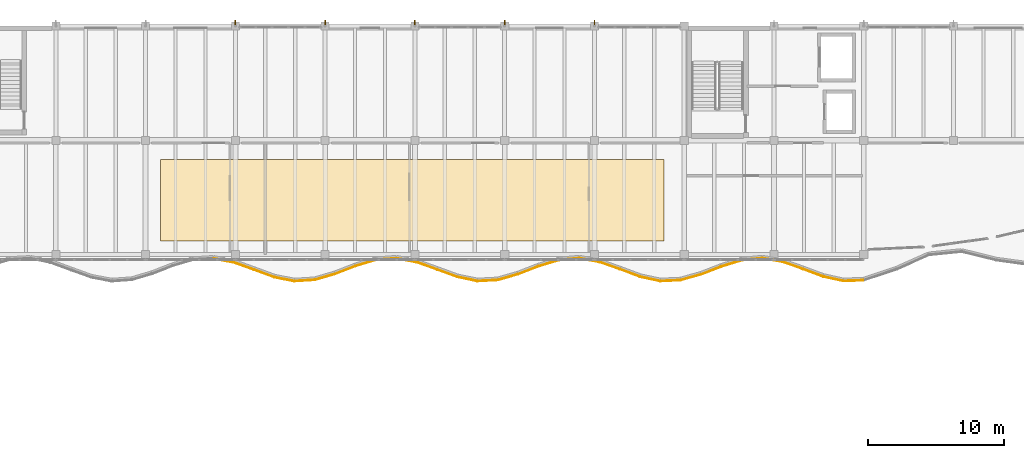
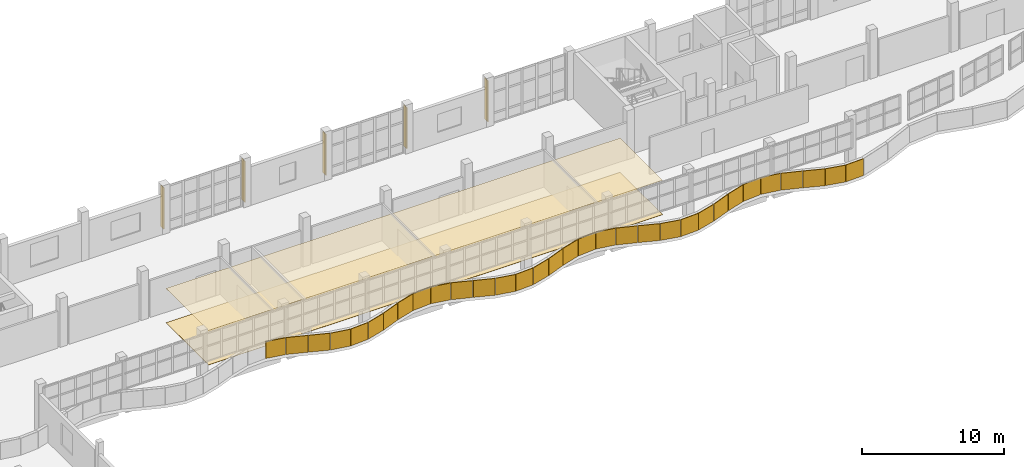
# One storey, part 68 of 74: 34 coverings, 5 shading devices.
"""IFC4 building model written with IfcOpenShell, lengths in metres."""

from ifc_helpers import new_model, si_unit, direction, frame, origin, origin_2d, place, context, subcontext, project, spatial, polyline, rectangle, outline, extrude, material, layer, layer_set, type_object, element, save


model = new_model("IFC4")

# Units and contexts
model_context = context("Model", 3, precision=1e-05, world=origin(), true_north=direction((0.0, 1.0)))
body_context = subcontext(model_context, "Body", "Model", "MODEL_VIEW")
ifc_project = project(units=[si_unit("LENGTHUNIT", "METRE"), si_unit("AREAUNIT", "SQUARE_METRE"), si_unit("VOLUMEUNIT", "CUBIC_METRE"), si_unit("PLANEANGLEUNIT", "RADIAN"), si_unit("MASSUNIT", "GRAM", prefix="KILO")], contexts=[model_context])

# Site, building, storey
site_placement = place(None, origin())
site = spatial("IfcSite", under=ifc_project, at=site_placement, CompositionType="ELEMENT")
building_placement = place(site_placement, origin())
building = spatial("IfcBuilding", under=site, at=building_placement, Name="Qaldarim Faculty of Natural and Applied Sciences", CompositionType="ELEMENT")
storey_placement = place(building_placement, frame((0.0, 0.0, 14.39990234375)))
storey = spatial("IfcBuildingStorey", under=building, at=storey_placement, Name="L03", CompositionType="ELEMENT", Elevation=14.39990234375)

# Coverings
ifc_material_1 = material(Name="Acoustic mineral fibre")
ifc_layer_1 = layer(ifc_material_1, 0.02001953125)
ifc_layer_set_1 = layer_set([ifc_layer_1], Name="Acoustic mineral fibre")
covering_type_1 = type_object("IfcCoveringType", Name="AcousticMineralCeiling-20", PredefinedType="CEILING", material=ifc_layer_set_1)
covering_1_placement = place(storey_placement, frame((0.0, 0.0, 2.9501953125)))
element("IfcCovering", 1, at=covering_1_placement, inside=storey, type_object=covering_type_1, Name="Acoustic mineral-fibre laboratory ceiling L03", PredefinedType="CEILING", context=body_context, shape_type="SweptSolid", body=[
    extrude(outline(polyline([(60.5, 101.800048828125), (97.5, 101.800048828125), (97.5, 107.800048828125), (60.5, 107.800048828125), (60.5, 101.800048828125)])), origin(), (0.0, 0.0, 1.0), 0.02001953125),
])
ifc_material_2 = material(Name="Chemical-resistant epoxy finish")
ifc_layer_2 = layer(ifc_material_2, 0.014892578125)
ifc_layer_set_2 = layer_set([ifc_layer_2], Name="Chemical-resistant epoxy finish")
covering_type_2 = type_object("IfcCoveringType", Name="LabEpoxyFlooring-15", PredefinedType="FLOORING", material=ifc_layer_set_2)
covering_2_placement = place(storey_placement, origin())
element("IfcCovering", 2, at=covering_2_placement, inside=storey, type_object=covering_type_2, Name="Chemical-resistant epoxy laboratory flooring L03", PredefinedType="FLOORING", context=body_context, shape_type="SweptSolid", body=[
    extrude(outline(polyline([(60.5, 101.800048828125), (97.5, 101.800048828125), (97.5, 107.800048828125), (60.5, 107.800048828125), (60.5, 101.800048828125)])), origin(), (0.0, 0.0, 1.0), 0.01513671875),
])
ifc_material_3 = material(Name="White architectural precast concrete C40/50", Category="concrete")
ifc_layer_3 = layer(ifc_material_3, 0.06005859375)
ifc_layer_set_3 = layer_set([ifc_layer_3], Name="White architectural precast concrete C40/50")
covering_type_3 = type_object("IfcCoveringType", Name="LimestoneSpandrelCladding-60", PredefinedType="CLADDING", material=ifc_layer_set_3)
covering_3_placement = place(storey_placement, frame((65.1298828125, 100.364990234375, 0.0), z_axis=(0.0, 0.0, 1.0), x_axis=(0.981700376478, -0.19043206354, 0.0)))
element("IfcCovering", 3, at=covering_3_placement, inside=storey, type_object=covering_type_3, Name="White limestone wave band fascia L03 chord 22", PredefinedType="CLADDING", context=body_context, shape_type="SweptSolid", body=[
    extrude(rectangle(XDim=1.485107421875, YDim=0.06005859375, at=origin_2d()), origin(), (0.0, 0.0, 1.0), 1.449951171875),
])
covering_4_placement = place(storey_placement, frame((66.635009765625, 99.949951171875, 0.0), z_axis=(0.0, 0.0, 1.0), x_axis=(0.940525527603, -0.339723022369, 0.0)))
element("IfcCovering", 4, at=covering_4_placement, inside=storey, type_object=covering_type_3, Name="White limestone wave band fascia L03 chord 23", PredefinedType="CLADDING", context=body_context, shape_type="SweptSolid", body=[
    extrude(rectangle(XDim=1.550048828125, YDim=0.06005859375, at=origin_2d()), origin(), (0.0, 0.0, 1.0), 1.449951171875),
])
covering_5_placement = place(storey_placement, frame((68.1298828125, 99.405029296875, 0.0), z_axis=(0.0, 0.0, 1.0), x_axis=(0.938505075369, -0.345265439202, 0.0)))
element("IfcCovering", 5, at=covering_5_placement, inside=storey, type_object=covering_type_3, Name="White limestone wave band fascia L03 chord 24", PredefinedType="CLADDING", context=body_context, shape_type="SweptSolid", body=[
    extrude(rectangle(XDim=1.554931640625, YDim=0.06005859375, at=origin_2d()), origin(), (0.0, 0.0, 1.0), 1.449951171875),
])
covering_6_placement = place(storey_placement, frame((69.614990234375, 98.985107421875, 0.0), z_axis=(0.0, 0.0, 1.0), x_axis=(0.981700376478, -0.19043206354, 0.0)))
element("IfcCovering", 6, at=covering_6_placement, inside=storey, type_object=covering_type_3, Name="White limestone wave band fascia L03 chord 25", PredefinedType="CLADDING", context=body_context, shape_type="SweptSolid", body=[
    extrude(rectangle(XDim=1.485107421875, YDim=0.06005859375, at=origin_2d()), origin(), (0.0, 0.0, 1.0), 1.449951171875),
])
covering_7_placement = place(storey_placement, frame((71.10498046875, 98.89501953125, 0.0), z_axis=(0.0, 0.0, 1.0), x_axis=(0.997987078981, 0.063417585781, 0.0)))
element("IfcCovering", 7, at=covering_7_placement, inside=storey, type_object=covering_type_3, Name="White limestone wave band fascia L03 chord 26", PredefinedType="CLADDING", context=body_context, shape_type="SweptSolid", body=[
    extrude(rectangle(XDim=1.4599609375, YDim=0.06005859375, at=origin_2d()), origin(), (0.0, 0.0, 1.0), 1.449951171875),
])
covering_8_placement = place(storey_placement, frame((72.590087890625, 99.159912109375, 0.0), z_axis=(0.0, 0.0, 1.0), x_axis=(0.959057334511, 0.283211986189, 0.0)))
element("IfcCovering", 8, at=covering_8_placement, inside=storey, type_object=covering_type_3, Name="White limestone wave band fascia L03 chord 27", PredefinedType="CLADDING", context=body_context, shape_type="SweptSolid", body=[
    extrude(rectangle(XDim=1.514892578125, YDim=0.06005859375, at=origin_2d()), origin(), (0.0, 0.0, 1.0), 1.449951171875),
])
covering_9_placement = place(storey_placement, frame((74.080078125, 99.6650390625, 0.0), z_axis=(0.0, 0.0, 1.0), x_axis=(0.932298552786, 0.361689657681, 0.0)))
element("IfcCovering", 9, at=covering_9_placement, inside=storey, type_object=covering_type_3, Name="White limestone wave band fascia L03 chord 28", PredefinedType="CLADDING", context=body_context, shape_type="SweptSolid", body=[
    extrude(rectangle(XDim=1.56494140625, YDim=0.06005859375, at=origin_2d()), origin(), (0.0, 0.0, 1.0), 1.449951171875),
])
covering_10_placement = place(storey_placement, frame((75.580078125, 100.18505859375, 0.0), z_axis=(0.0, 0.0, 1.0), x_axis=(0.957561300274, 0.288229693505, 0.0)))
element("IfcCovering", 10, at=covering_10_placement, inside=storey, type_object=covering_type_3, Name="White limestone wave band fascia L03 chord 29", PredefinedType="CLADDING", context=body_context, shape_type="SweptSolid", body=[
    extrude(rectangle(XDim=1.52001953125, YDim=0.06005859375, at=origin_2d()), origin(), (0.0, 0.0, 1.0), 1.449951171875),
])
covering_11_placement = place(storey_placement, frame((77.080078125, 100.465087890625, 0.0), z_axis=(0.0, 0.0, 1.0), x_axis=(0.997304241521, 0.073377447784, 0.0)))
element("IfcCovering", 11, at=covering_11_placement, inside=storey, type_object=covering_type_3, Name="White limestone wave band fascia L03 chord 30", PredefinedType="CLADDING", context=body_context, shape_type="SweptSolid", body=[
    extrude(rectangle(XDim=1.4599609375, YDim=0.06005859375, at=origin_2d()), origin(), (0.0, 0.0, 1.0), 1.449951171875),
])
covering_12_placement = place(storey_placement, frame((78.580078125, 100.3798828125, 0.0), z_axis=(0.0, 0.0, 1.0), x_axis=(0.982909655114, -0.184088592485, 0.0)))
element("IfcCovering", 12, at=covering_12_placement, inside=storey, type_object=covering_type_3, Name="White limestone wave band fascia L03 chord 31", PredefinedType="CLADDING", context=body_context, shape_type="SweptSolid", body=[
    extrude(rectangle(XDim=1.47998046875, YDim=0.06005859375, at=origin_2d()), origin(), (0.0, 0.0, 1.0), 1.449951171875),
])
covering_13_placement = place(storey_placement, frame((80.080078125, 99.969970703125, 0.0), z_axis=(0.0, 0.0, 1.0), x_axis=(0.941529364694, -0.336930935681, 0.0)))
element("IfcCovering", 13, at=covering_13_placement, inside=storey, type_object=covering_type_3, Name="White limestone wave band fascia L03 chord 32", PredefinedType="CLADDING", context=body_context, shape_type="SweptSolid", body=[
    extrude(rectangle(XDim=1.550048828125, YDim=0.06005859375, at=origin_2d()), origin(), (0.0, 0.0, 1.0), 1.449951171875),
])
covering_14_placement = place(storey_placement, frame((81.580078125, 99.425048828125, 0.0), z_axis=(0.0, 0.0, 1.0), x_axis=(0.938505075369, -0.345265439202, 0.0)))
element("IfcCovering", 14, at=covering_14_placement, inside=storey, type_object=covering_type_3, Name="White limestone wave band fascia L03 chord 33", PredefinedType="CLADDING", context=body_context, shape_type="SweptSolid", body=[
    extrude(rectangle(XDim=1.554931640625, YDim=0.06005859375, at=origin_2d()), origin(), (0.0, 0.0, 1.0), 1.449951171875),
])
covering_15_placement = place(storey_placement, frame((83.070068359375, 99.0, 0.0), z_axis=(0.0, 0.0, 1.0), x_axis=(0.979816692763, -0.199898095498, 0.0)))
element("IfcCovering", 15, at=covering_15_placement, inside=storey, type_object=covering_type_3, Name="White limestone wave band fascia L03 chord 34", PredefinedType="CLADDING", context=body_context, shape_type="SweptSolid", body=[
    extrude(rectangle(XDim=1.485107421875, YDim=0.06005859375, at=origin_2d()), origin(), (0.0, 0.0, 1.0), 1.449951171875),
])
covering_16_placement = place(storey_placement, frame((84.550048828125, 98.889892578125, 0.0), z_axis=(0.0, 0.0, 1.0), x_axis=(0.998562043495, 0.053608257677, 0.0)))
element("IfcCovering", 16, at=covering_16_placement, inside=storey, type_object=covering_type_3, Name="White limestone wave band fascia L03 chord 35", PredefinedType="CLADDING", context=body_context, shape_type="SweptSolid", body=[
    extrude(rectangle(XDim=1.449951171875, YDim=0.06005859375, at=origin_2d()), origin(), (0.0, 0.0, 1.0), 1.449951171875),
])
covering_17_placement = place(storey_placement, frame((86.0400390625, 99.14501953125, 0.0), z_axis=(0.0, 0.0, 1.0), x_axis=(0.961035265915, 0.276425790524, 0.0)))
element("IfcCovering", 17, at=covering_17_placement, inside=storey, type_object=covering_type_3, Name="White limestone wave band fascia L03 chord 36", PredefinedType="CLADDING", context=body_context, shape_type="SweptSolid", body=[
    extrude(rectangle(XDim=1.514892578125, YDim=0.06005859375, at=origin_2d()), origin(), (0.0, 0.0, 1.0), 1.449951171875),
])
covering_18_placement = place(storey_placement, frame((87.530029296875, 99.64501953125, 0.0), z_axis=(0.0, 0.0, 1.0), x_axis=(0.932298552786, 0.361689657681, 0.0)))
element("IfcCovering", 18, at=covering_18_placement, inside=storey, type_object=covering_type_3, Name="White limestone wave band fascia L03 chord 37", PredefinedType="CLADDING", context=body_context, shape_type="SweptSolid", body=[
    extrude(rectangle(XDim=1.56494140625, YDim=0.06005859375, at=origin_2d()), origin(), (0.0, 0.0, 1.0), 1.449951171875),
])
covering_19_placement = place(storey_placement, frame((89.030029296875, 100.1650390625, 0.0), z_axis=(0.0, 0.0, 1.0), x_axis=(0.956671405918, 0.291169746193, 0.0)))
element("IfcCovering", 19, at=covering_19_placement, inside=storey, type_object=covering_type_3, Name="White limestone wave band fascia L03 chord 38", PredefinedType="CLADDING", context=body_context, shape_type="SweptSolid", body=[
    extrude(rectangle(XDim=1.52490234375, YDim=0.06005859375, at=origin_2d()), origin(), (0.0, 0.0, 1.0), 1.449951171875),
])
covering_20_placement = place(storey_placement, frame((90.530029296875, 100.4599609375, 0.0), z_axis=(0.0, 0.0, 1.0), x_axis=(0.996240196174, 0.0866341245, 0.0)))
element("IfcCovering", 20, at=covering_20_placement, inside=storey, type_object=covering_type_3, Name="White limestone wave band fascia L03 chord 39", PredefinedType="CLADDING", context=body_context, shape_type="SweptSolid", body=[
    extrude(rectangle(XDim=1.4599609375, YDim=0.06005859375, at=origin_2d()), origin(), (0.0, 0.0, 1.0), 1.449951171875),
])
covering_21_placement = place(storey_placement, frame((92.034912109375, 100.389892578125, 0.0), z_axis=(0.0, 0.0, 1.0), x_axis=(0.984081046426, -0.177720269144, 0.0)))
element("IfcCovering", 21, at=covering_21_placement, inside=storey, type_object=covering_type_3, Name="White limestone wave band fascia L03 chord 40", PredefinedType="CLADDING", context=body_context, shape_type="SweptSolid", body=[
    extrude(rectangle(XDim=1.47998046875, YDim=0.06005859375, at=origin_2d()), origin(), (0.0, 0.0, 1.0), 1.449951171875),
])
covering_22_placement = place(storey_placement, frame((93.530029296875, 99.985107421875, 0.0), z_axis=(0.0, 0.0, 1.0), x_axis=(0.94252491309, -0.334135882844, 0.0)))
element("IfcCovering", 22, at=covering_22_placement, inside=storey, type_object=covering_type_3, Name="White limestone wave band fascia L03 chord 41", PredefinedType="CLADDING", context=body_context, shape_type="SweptSolid", body=[
    extrude(rectangle(XDim=1.544921875, YDim=0.06005859375, at=origin_2d()), origin(), (0.0, 0.0, 1.0), 1.449951171875),
])
covering_23_placement = place(storey_placement, frame((95.02490234375, 99.445068359375, 0.0), z_axis=(0.0, 0.0, 1.0), x_axis=(0.937099349122, -0.34906275922, 0.0)))
element("IfcCovering", 23, at=covering_23_placement, inside=storey, type_object=covering_type_3, Name="White limestone wave band fascia L03 chord 42", PredefinedType="CLADDING", context=body_context, shape_type="SweptSolid", body=[
    extrude(rectangle(XDim=1.550048828125, YDim=0.06005859375, at=origin_2d()), origin(), (0.0, 0.0, 1.0), 1.449951171875),
])
covering_24_placement = place(storey_placement, frame((96.514892578125, 99.0048828125, 0.0), z_axis=(0.0, 0.0, 1.0), x_axis=(0.97784904212, -0.209311372901, 0.0)))
element("IfcCovering", 24, at=covering_24_placement, inside=storey, type_object=covering_type_3, Name="White limestone wave band fascia L03 chord 43", PredefinedType="CLADDING", context=body_context, shape_type="SweptSolid", body=[
    extrude(rectangle(XDim=1.489990234375, YDim=0.06005859375, at=origin_2d()), origin(), (0.0, 0.0, 1.0), 1.449951171875),
])
covering_25_placement = place(storey_placement, frame((98.0048828125, 98.885009765625, 0.0), z_axis=(0.0, 0.0, 1.0), x_axis=(0.99890544113, 0.046775203699, 0.0)))
element("IfcCovering", 25, at=covering_25_placement, inside=storey, type_object=covering_type_3, Name="White limestone wave band fascia L03 chord 44", PredefinedType="CLADDING", context=body_context, shape_type="SweptSolid", body=[
    extrude(rectangle(XDim=1.455078125, YDim=0.06005859375, at=origin_2d()), origin(), (0.0, 0.0, 1.0), 1.449951171875),
])
covering_26_placement = place(storey_placement, frame((99.485107421875, 99.1298828125, 0.0), z_axis=(0.0, 0.0, 1.0), x_axis=(0.962729519992, 0.270466026213, 0.0)))
element("IfcCovering", 26, at=covering_26_placement, inside=storey, type_object=covering_type_3, Name="White limestone wave band fascia L03 chord 45", PredefinedType="CLADDING", context=body_context, shape_type="SweptSolid", body=[
    extrude(rectangle(XDim=1.514892578125, YDim=0.06005859375, at=origin_2d()), origin(), (0.0, 0.0, 1.0), 1.449951171875),
])
covering_27_placement = place(storey_placement, frame((100.97998046875, 99.625, 0.0), z_axis=(0.0, 0.0, 1.0), x_axis=(0.932298552786, 0.361689657681, 0.0)))
element("IfcCovering", 27, at=covering_27_placement, inside=storey, type_object=covering_type_3, Name="White limestone wave band fascia L03 chord 46", PredefinedType="CLADDING", context=body_context, shape_type="SweptSolid", body=[
    extrude(rectangle(XDim=1.56494140625, YDim=0.06005859375, at=origin_2d()), origin(), (0.0, 0.0, 1.0), 1.449951171875),
])
covering_28_placement = place(storey_placement, frame((102.47998046875, 100.14990234375, 0.0), z_axis=(0.0, 0.0, 1.0), x_axis=(0.954874912872, 0.297008250336, 0.0)))
element("IfcCovering", 28, at=covering_28_placement, inside=storey, type_object=covering_type_3, Name="White limestone wave band fascia L03 chord 47", PredefinedType="CLADDING", context=body_context, shape_type="SweptSolid", body=[
    extrude(rectangle(XDim=1.52490234375, YDim=0.06005859375, at=origin_2d()), origin(), (0.0, 0.0, 1.0), 1.449951171875),
])
covering_29_placement = place(storey_placement, frame((103.97998046875, 100.455078125, 0.0), z_axis=(0.0, 0.0, 1.0), x_axis=(0.995643710507, 0.093239485886, 0.0)))
element("IfcCovering", 29, at=covering_29_placement, inside=storey, type_object=covering_type_3, Name="White limestone wave band fascia L03 chord 48", PredefinedType="CLADDING", context=body_context, shape_type="SweptSolid", body=[
    extrude(rectangle(XDim=1.4599609375, YDim=0.06005859375, at=origin_2d()), origin(), (0.0, 0.0, 1.0), 1.449951171875),
])
covering_30_placement = place(storey_placement, frame((105.485107421875, 100.39990234375, 0.0), z_axis=(0.0, 0.0, 1.0), x_axis=(0.985762222924, -0.168145293887, 0.0)))
element("IfcCovering", 30, at=covering_30_placement, inside=storey, type_object=covering_type_3, Name="White limestone wave band fascia L03 chord 49", PredefinedType="CLADDING", context=body_context, shape_type="SweptSolid", body=[
    extrude(rectangle(XDim=1.47509765625, YDim=0.06005859375, at=origin_2d()), origin(), (0.0, 0.0, 1.0), 1.449951171875),
])
covering_31_placement = place(storey_placement, frame((106.97998046875, 100.0048828125, 0.0), z_axis=(0.0, 0.0, 1.0), x_axis=(0.943164670528, -0.332325750233, 0.0)))
element("IfcCovering", 31, at=covering_31_placement, inside=storey, type_object=covering_type_3, Name="White limestone wave band fascia L03 chord 50", PredefinedType="CLADDING", context=body_context, shape_type="SweptSolid", body=[
    extrude(rectangle(XDim=1.5400390625, YDim=0.06005859375, at=origin_2d()), origin(), (0.0, 0.0, 1.0), 1.449951171875),
])
covering_32_placement = place(storey_placement, frame((108.47509765625, 99.4599609375, 0.0), z_axis=(0.0, 0.0, 1.0), x_axis=(0.936458084984, -0.350779496363, 0.0)))
element("IfcCovering", 32, at=covering_32_placement, inside=storey, type_object=covering_type_3, Name="White limestone wave band fascia L03 chord 51", PredefinedType="CLADDING", context=body_context, shape_type="SweptSolid", body=[
    extrude(rectangle(XDim=1.554931640625, YDim=0.06005859375, at=origin_2d()), origin(), (0.0, 0.0, 1.0), 1.449951171875),
])
covering_33_placement = place(storey_placement, frame((109.965087890625, 99.02001953125, 0.0), z_axis=(0.0, 0.0, 1.0), x_axis=(0.976492039375, -0.215553466771, 0.0)))
element("IfcCovering", 33, at=covering_33_placement, inside=storey, type_object=covering_type_3, Name="White limestone wave band fascia L03 chord 52", PredefinedType="CLADDING", context=body_context, shape_type="SweptSolid", body=[
    extrude(rectangle(XDim=1.489990234375, YDim=0.06005859375, at=origin_2d()), origin(), (0.0, 0.0, 1.0), 1.449951171875),
])
covering_34_placement = place(storey_placement, frame((111.449951171875, 98.885009765625, 0.0), z_axis=(0.0, 0.0, 1.0), x_axis=(0.999323909447, 0.036765799428, 0.0)))
element("IfcCovering", 34, at=covering_34_placement, inside=storey, type_object=covering_type_3, Name="White limestone wave band fascia L03 chord 53", PredefinedType="CLADDING", context=body_context, shape_type="SweptSolid", body=[
    extrude(rectangle(XDim=1.455078125, YDim=0.06005859375, at=origin_2d()), origin(), (0.0, 0.0, 1.0), 1.449951171875),
])

# Shading devices
ifc_material_4 = material(Name="Champagne anodised aluminium AW-6063", Category="aluminium")
ifc_layer_4 = layer(ifc_material_4, 0.06005859375)
ifc_layer_set_4 = layer_set([ifc_layer_4], Name="Champagne anodised aluminium AW-6063")
shading_device_type = type_object("IfcShadingDeviceType", Name="VerticalSunFin-ALU450x60", PredefinedType="SHUTTER", material=ifc_layer_set_4)
for number, where, z_axis, x_axis, name in (
    (35, (66.0, 117.824951171875, 0.2001953125), (0.0, 0.0, 1.0), (1.0, 0.0, 0.0), "North pier fin FIN-V4N-L03-X11"),
    (36, (72.60009765625, 117.824951171875, 0.2001953125), (0.0, 0.0, 1.0), (1.0, 0.0, 0.0), "North pier fin FIN-V4N-L03-X12"),
    (37, (79.199951171875, 117.824951171875, 0.2001953125), (0.0, 0.0, 1.0), (1.0, 0.0, 0.0), "North pier fin FIN-V4N-L03-X13"),
    (38, (85.800048828125, 117.824951171875, 0.2001953125), (0.0, 0.0, 1.0), (1.0, 0.0, 0.0), "North pier fin FIN-V4N-L03-X14"),
    (39, (92.39990234375, 117.824951171875, 0.2001953125), (0.0, 0.0, 1.0), (1.0, 0.0, 0.0), "North pier fin FIN-V4N-L03-X15"),
):
    element("IfcShadingDevice", number, at=place(storey_placement, frame(where, z_axis=z_axis, x_axis=x_axis)), inside=storey, type_object=shading_device_type, Name=name, PredefinedType="SHUTTER", context=body_context, shape_type="SweptSolid", body=[
        extrude(rectangle(XDim=0.06005859375, YDim=0.449951171875, at=origin_2d()), origin(), (0.0, 0.0, 1.0), 3.5400390625),
    ])

save(model, "model.ifc")
